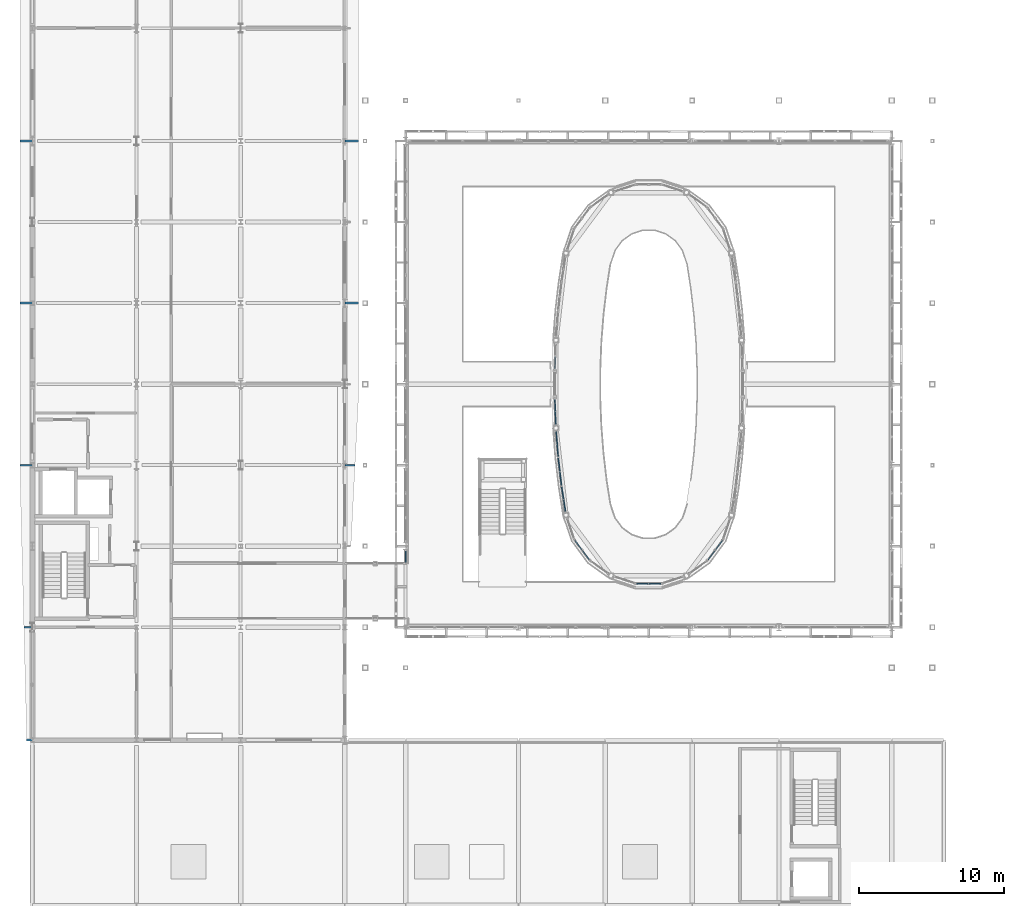
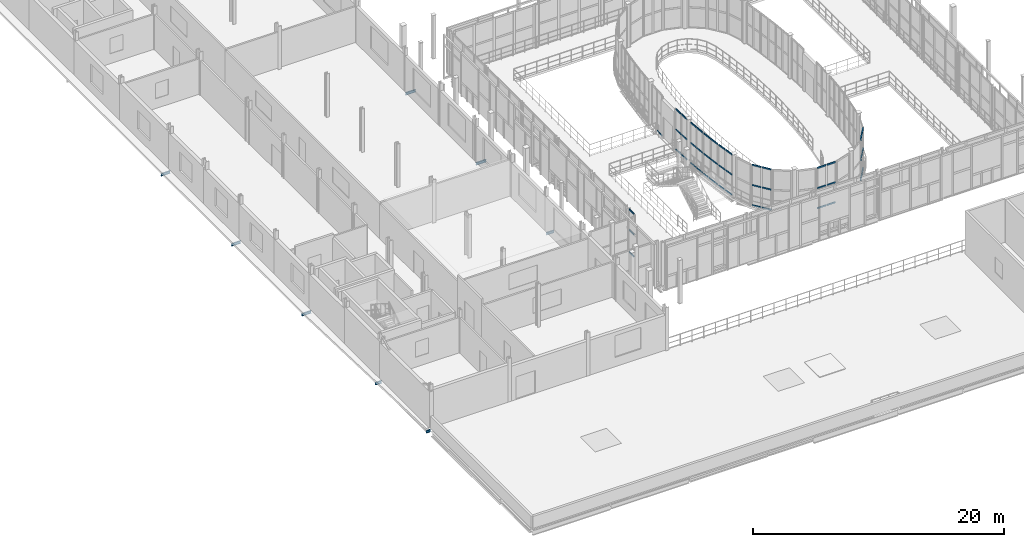
# One storey, part 89 of 138: 46 members, 8 beams, 9 elements without a shape of their own.
"""IFC4 building model written with IfcOpenShell, lengths in metres."""

from ifc_helpers import new_model, si_unit, direction, frame, origin, origin_2d, place, context, subcontext, project, spatial, hollow_rectangle, i_section, extrude, material, layer, layer_set, material_profile, profile_set, type_object, element, aggregate, save


model = new_model("IFC4")

# Units and contexts
model_context = context("Model", 3, precision=1e-05, world=origin(), true_north=direction((0.0, 1.0)))
body_context = subcontext(model_context, "Body", "Model", "MODEL_VIEW")
ifc_project = project(units=[si_unit("LENGTHUNIT", "METRE"), si_unit("AREAUNIT", "SQUARE_METRE"), si_unit("VOLUMEUNIT", "CUBIC_METRE"), si_unit("PLANEANGLEUNIT", "RADIAN"), si_unit("MASSUNIT", "GRAM", prefix="KILO")], contexts=[model_context])

# Site, building, storey
site_placement = place(None, origin())
site = spatial("IfcSite", under=ifc_project, at=site_placement, CompositionType="ELEMENT")
building_placement = place(site_placement, origin())
building = spatial("IfcBuilding", under=site, at=building_placement, Name="Vinh Khe Railworks Police Headquarters", CompositionType="ELEMENT")
storey_placement = place(building_placement, frame((0.0, 0.0, 9.0)))
storey = spatial("IfcBuildingStorey", under=building, at=storey_placement, Name="L02", CompositionType="ELEMENT", Elevation=9.0)

# Beams
ifc_material_1 = material(Name="Steel S355JR", Category="steel")
ifc_material_profile_1 = material_profile(ifc_material_1, i_section(OverallWidth=0.1201171875, OverallDepth=0.239990234375, WebThickness=0.006103515625, FlangeThickness=0.009765625, FilletRadius=0.014892578125, at=origin_2d()), Name="IPE 240")
ifc_profile_set_1 = profile_set([ifc_material_profile_1], Name="Steel S355JR")
beam_type = type_object("IfcBeamType", Name="Monsoon Hood Outrigger IPE 240", PredefinedType="BEAM", material=ifc_profile_set_1)
beam_1_placement = place(storey_placement, frame((0.21142578125, 17.39990234375, -0.360107421875), z_axis=(1.0, 0.0, 0.0), x_axis=(0.0, 1.0, 0.0)))
element("IfcBeam", 1, at=beam_1_placement, inside=storey, type_object=beam_type, Name="Monsoon Sun-Hood Outrigger L02-021", PredefinedType="BEAM", context=body_context, shape_type="SweptSolid", body=[
    extrude(i_section(OverallWidth=0.1201171875, OverallDepth=0.239990234375, WebThickness=0.006103515625, FlangeThickness=0.009765625, FilletRadius=0.014892578125, at=origin_2d()), origin(), (0.0, 0.0, 1.0), 0.388671875),
])
beam_2_placement = place(storey_placement, frame((0.01318359375, 25.199951171875, -0.360107421875), z_axis=(1.0, 0.0, 0.0), x_axis=(0.0, 1.0, 0.0)))
element("IfcBeam", 2, at=beam_2_placement, inside=storey, type_object=beam_type, Name="Monsoon Sun-Hood Outrigger L02-022", PredefinedType="BEAM", context=body_context, shape_type="SweptSolid", body=[
    extrude(i_section(OverallWidth=0.1201171875, OverallDepth=0.239990234375, WebThickness=0.006103515625, FlangeThickness=0.009765625, FilletRadius=0.014892578125, at=origin_2d()), origin(), (0.0, 0.0, 1.0), 0.5869140625),
])
for number, where, z_axis, x_axis, name in (
    (3, (-0.25, 36.39990234375, -0.360107421875), (1.0, 0.0, 0.0), (0.0, 1.0, 0.0), "Monsoon Sun-Hood Outrigger L02-023"),
    (4, (-0.25, 47.60009765625, -0.360107421875), (1.0, 0.0, 0.0), (0.0, 1.0, 0.0), "Monsoon Sun-Hood Outrigger L02-024"),
    (5, (-0.25, 58.800048828125, -0.360107421875), (1.0, 0.0, 0.0), (0.0, 1.0, 0.0), "Monsoon Sun-Hood Outrigger L02-025"),
):
    element("IfcBeam", number, at=place(storey_placement, frame(where, z_axis=z_axis, x_axis=x_axis)), inside=storey, type_object=beam_type, Name=name, PredefinedType="BEAM", context=body_context, shape_type="SweptSolid", body=[
        extrude(i_section(OverallWidth=0.1201171875, OverallDepth=0.239990234375, WebThickness=0.006103515625, FlangeThickness=0.009765625, FilletRadius=0.014892578125, at=origin_2d()), origin(), (0.0, 0.0, 1.0), 0.85009765625),
    ])
beam_3_placement = place(storey_placement, frame((22.199951171875, 36.39990234375, -0.360107421875), z_axis=(1.0, 0.0, 0.0), x_axis=(0.0, 1.0, 0.0)))
element("IfcBeam", 6, at=beam_3_placement, inside=storey, type_object=beam_type, Name="Monsoon Sun-Hood Outrigger L02-033", PredefinedType="BEAM", context=body_context, shape_type="SweptSolid", body=[
    extrude(i_section(OverallWidth=0.1201171875, OverallDepth=0.239990234375, WebThickness=0.006103515625, FlangeThickness=0.009765625, FilletRadius=0.014892578125, at=origin_2d()), origin(), (0.0, 0.0, 1.0), 0.70703125),
])
for number, where, z_axis, x_axis, name in (
    (7, (22.199951171875, 47.60009765625, -0.360107421875), (1.0, 0.0, 0.0), (0.0, 1.0, 0.0), "Monsoon Sun-Hood Outrigger L02-034"),
    (8, (22.199951171875, 58.800048828125, -0.360107421875), (1.0, 0.0, 0.0), (0.0, 1.0, 0.0), "Monsoon Sun-Hood Outrigger L02-035"),
):
    element("IfcBeam", number, at=place(storey_placement, frame(where, z_axis=z_axis, x_axis=x_axis)), inside=storey, type_object=beam_type, Name=name, PredefinedType="BEAM", context=body_context, shape_type="SweptSolid", body=[
        extrude(i_section(OverallWidth=0.1201171875, OverallDepth=0.239990234375, WebThickness=0.006103515625, FlangeThickness=0.009765625, FilletRadius=0.014892578125, at=origin_2d()), origin(), (0.0, 0.0, 1.0), 0.949951171875),
    ])

# Curtain wall, member
ifc_material_2 = material(Name="Anodised aluminium and acoustic laminated glass", Category="aluminium")
ifc_layer_1 = layer(ifc_material_2, 0.159912109375)
ifc_layer_set_1 = layer_set([ifc_layer_1], Name="Anodised aluminium and acoustic laminated glass")
curtain_wall_type_1 = type_object("IfcCurtainWallType", Name="CW-DRUM-CHORD", PredefinedType="USERDEFINED", material=ifc_layer_set_1)
curtain_wall_1_placement = place(storey_placement, origin())
curtain_wall_1 = element("IfcCurtainWall", 9, at=curtain_wall_1_placement, inside=storey, type_object=curtain_wall_type_1, Name="Elliptical Command Drum Glazing L02 Chord 22", ObjectType="DRUM FACADE GLAZING", PredefinedType="USERDEFINED")
ifc_material_3 = material(Name="Anodised aluminium 6063-T6", Category="aluminium")
ifc_material_profile_2 = material_profile(ifc_material_3, hollow_rectangle(XDim=0.06494140625, YDim=0.139892578125, WallThickness=0.00390625, at=origin_2d()), Name="CW-T 65x140x4")
ifc_profile_set_2 = profile_set([ifc_material_profile_2], Name="Anodised aluminium 6063-T6")
member_type_1 = type_object("IfcMemberType", Name="TRAN-CWT-02", PredefinedType="USERDEFINED", material=ifc_profile_set_2)
member_1_placement = place(storey_placement, frame((36.74365234375, 43.890380859375, 0.032470703125), z_axis=(-0.038651755227, -0.999252741711, 0.0), x_axis=(0.999252741711, -0.038651755227, 0.0)))
member_1 = element("IfcMember", 10, at=member_1_placement, type_object=member_type_1, Name="CW-02 transom 2.1", ObjectType="TRANSOM", PredefinedType="USERDEFINED", context=body_context, shape_type="SweptSolid", body=[
    extrude(hollow_rectangle(XDim=0.06494140625, YDim=0.139892578125, WallThickness=0.00390625, at=origin_2d()), origin(), (0.0, 0.0, 1.0), 0.814697265625),
])
aggregate(curtain_wall_1, [member_1])

# Curtain wall, members
curtain_wall_2_placement = place(storey_placement, origin())
curtain_wall_2 = element("IfcCurtainWall", 11, at=curtain_wall_2_placement, inside=storey, type_object=curtain_wall_type_1, Name="Elliptical Command Drum Glazing L02 Chord 24", ObjectType="DRUM FACADE GLAZING", PredefinedType="USERDEFINED")
member_2_placement = place(storey_placement, frame((36.712158203125, 40.923828125, 0.032470703125), z_axis=(0.038651755227, -0.999252741711, 0.0), x_axis=(0.999252741711, 0.038651755227, 0.0)))
member_2 = element("IfcMember", 12, at=member_2_placement, type_object=member_type_1, Name="CW-02 transom 1.1", ObjectType="TRANSOM", PredefinedType="USERDEFINED", context=body_context, shape_type="SweptSolid", body=[
    extrude(hollow_rectangle(XDim=0.06494140625, YDim=0.139892578125, WallThickness=0.00390625, at=origin_2d()), origin(), (0.0, 0.0, 1.0), 0.814697265625),
])
member_3_placement = place(storey_placement, frame((36.712158203125, 40.923828125, 1.985107421875), z_axis=(0.038651755227, -0.999252741711, 0.0), x_axis=(0.999252741711, 0.038651755227, 0.0)))
member_3 = element("IfcMember", 13, at=member_3_placement, type_object=member_type_1, Name="CW-02 transom 1.2", ObjectType="TRANSOM", PredefinedType="USERDEFINED", context=body_context, shape_type="SweptSolid", body=[
    extrude(hollow_rectangle(XDim=0.06494140625, YDim=0.139892578125, WallThickness=0.00390625, at=origin_2d()), origin(), (0.0, 0.0, 1.0), 0.814697265625),
])
member_4_placement = place(storey_placement, frame((36.712158203125, 40.923828125, 3.9375), z_axis=(0.038651755227, -0.999252741711, 0.0), x_axis=(0.999252741711, 0.038651755227, 0.0)))
member_4 = element("IfcMember", 14, at=member_4_placement, type_object=member_type_1, Name="CW-02 transom 1.3", ObjectType="TRANSOM", PredefinedType="USERDEFINED", context=body_context, shape_type="SweptSolid", body=[
    extrude(hollow_rectangle(XDim=0.06494140625, YDim=0.139892578125, WallThickness=0.00390625, at=origin_2d()), origin(), (0.0, 0.0, 1.0), 0.814697265625),
])
member_5_placement = place(storey_placement, frame((36.74609375, 40.044677734375, 0.032470703125), z_axis=(0.038651755227, -0.999252741711, 0.0), x_axis=(0.999252741711, 0.038651755227, 0.0)))
member_5 = element("IfcMember", 15, at=member_5_placement, type_object=member_type_1, Name="CW-02 transom 2.1", ObjectType="TRANSOM", PredefinedType="USERDEFINED", context=body_context, shape_type="SweptSolid", body=[
    extrude(hollow_rectangle(XDim=0.06494140625, YDim=0.139892578125, WallThickness=0.00390625, at=origin_2d()), origin(), (0.0, 0.0, 1.0), 0.814697265625),
])
member_6_placement = place(storey_placement, frame((36.74609375, 40.044677734375, 1.985107421875), z_axis=(0.038651755227, -0.999252741711, 0.0), x_axis=(0.999252741711, 0.038651755227, 0.0)))
member_6 = element("IfcMember", 16, at=member_6_placement, type_object=member_type_1, Name="CW-02 transom 2.2", ObjectType="TRANSOM", PredefinedType="USERDEFINED", context=body_context, shape_type="SweptSolid", body=[
    extrude(hollow_rectangle(XDim=0.06494140625, YDim=0.139892578125, WallThickness=0.00390625, at=origin_2d()), origin(), (0.0, 0.0, 1.0), 0.814697265625),
])
member_7_placement = place(storey_placement, frame((36.74609375, 40.044677734375, 3.9375), z_axis=(0.038651755227, -0.999252741711, 0.0), x_axis=(0.999252741711, 0.038651755227, 0.0)))
member_7 = element("IfcMember", 17, at=member_7_placement, type_object=member_type_1, Name="CW-02 transom 2.3", ObjectType="TRANSOM", PredefinedType="USERDEFINED", context=body_context, shape_type="SweptSolid", body=[
    extrude(hollow_rectangle(XDim=0.06494140625, YDim=0.139892578125, WallThickness=0.00390625, at=origin_2d()), origin(), (0.0, 0.0, 1.0), 0.814697265625),
])
aggregate(curtain_wall_2, [member_2, member_3, member_4, member_5, member_6, member_7])

curtain_wall_3_placement = place(storey_placement, origin())
curtain_wall_3 = element("IfcCurtainWall", 18, at=curtain_wall_3_placement, inside=storey, type_object=curtain_wall_type_1, Name="Elliptical Command Drum Glazing L02 Chord 25", ObjectType="DRUM FACADE GLAZING", PredefinedType="USERDEFINED")
member_8_placement = place(storey_placement, frame((36.807861328125, 38.705810546875, 0.032470703125), z_axis=(0.077017326993, -0.997029754492, 0.0), x_axis=(0.997029754492, 0.077017326993, 0.0)))
member_8 = element("IfcMember", 19, at=member_8_placement, type_object=member_type_1, Name="CW-02 transom 1.1", ObjectType="TRANSOM", PredefinedType="USERDEFINED", context=body_context, shape_type="SweptSolid", body=[
    extrude(hollow_rectangle(XDim=0.06494140625, YDim=0.139892578125, WallThickness=0.00390625, at=origin_2d()), origin(), (0.0, 0.0, 1.0), 0.814697265625),
])
member_9_placement = place(storey_placement, frame((36.807861328125, 38.705810546875, 1.985107421875), z_axis=(0.077017326993, -0.997029754492, 0.0), x_axis=(0.997029754492, 0.077017326993, 0.0)))
member_9 = element("IfcMember", 20, at=member_9_placement, type_object=member_type_1, Name="CW-02 transom 1.2", ObjectType="TRANSOM", PredefinedType="USERDEFINED", context=body_context, shape_type="SweptSolid", body=[
    extrude(hollow_rectangle(XDim=0.06494140625, YDim=0.139892578125, WallThickness=0.00390625, at=origin_2d()), origin(), (0.0, 0.0, 1.0), 0.814697265625),
])
member_10_placement = place(storey_placement, frame((36.807861328125, 38.705810546875, 3.9375), z_axis=(0.077017326993, -0.997029754492, 0.0), x_axis=(0.997029754492, 0.077017326993, 0.0)))
member_10 = element("IfcMember", 21, at=member_10_placement, type_object=member_type_1, Name="CW-02 transom 1.3", ObjectType="TRANSOM", PredefinedType="USERDEFINED", context=body_context, shape_type="SweptSolid", body=[
    extrude(hollow_rectangle(XDim=0.06494140625, YDim=0.139892578125, WallThickness=0.00390625, at=origin_2d()), origin(), (0.0, 0.0, 1.0), 0.814697265625),
])
member_11_placement = place(storey_placement, frame((36.87548828125, 37.82861328125, 0.032470703125), z_axis=(0.077017326993, -0.997029754492, 0.0), x_axis=(0.997029754492, 0.077017326993, 0.0)))
member_11 = element("IfcMember", 22, at=member_11_placement, type_object=member_type_1, Name="CW-02 transom 2.1", ObjectType="TRANSOM", PredefinedType="USERDEFINED", context=body_context, shape_type="SweptSolid", body=[
    extrude(hollow_rectangle(XDim=0.06494140625, YDim=0.139892578125, WallThickness=0.00390625, at=origin_2d()), origin(), (0.0, 0.0, 1.0), 0.814697265625),
])
member_12_placement = place(storey_placement, frame((36.87548828125, 37.82861328125, 1.985107421875), z_axis=(0.077017326993, -0.997029754492, 0.0), x_axis=(0.997029754492, 0.077017326993, 0.0)))
member_12 = element("IfcMember", 23, at=member_12_placement, type_object=member_type_1, Name="CW-02 transom 2.2", ObjectType="TRANSOM", PredefinedType="USERDEFINED", context=body_context, shape_type="SweptSolid", body=[
    extrude(hollow_rectangle(XDim=0.06494140625, YDim=0.139892578125, WallThickness=0.00390625, at=origin_2d()), origin(), (0.0, 0.0, 1.0), 0.814697265625),
])
member_13_placement = place(storey_placement, frame((36.87548828125, 37.82861328125, 3.9375), z_axis=(0.077017326993, -0.997029754492, 0.0), x_axis=(0.997029754492, 0.077017326993, 0.0)))
member_13 = element("IfcMember", 24, at=member_13_placement, type_object=member_type_1, Name="CW-02 transom 2.3", ObjectType="TRANSOM", PredefinedType="USERDEFINED", context=body_context, shape_type="SweptSolid", body=[
    extrude(hollow_rectangle(XDim=0.06494140625, YDim=0.139892578125, WallThickness=0.00390625, at=origin_2d()), origin(), (0.0, 0.0, 1.0), 0.814697265625),
])
aggregate(curtain_wall_3, [member_8, member_9, member_10, member_11, member_12, member_13])

curtain_wall_4_placement = place(storey_placement, origin())
curtain_wall_4 = element("IfcCurtainWall", 25, at=curtain_wall_4_placement, inside=storey, type_object=curtain_wall_type_1, Name="Elliptical Command Drum Glazing L02 Chord 26", ObjectType="DRUM FACADE GLAZING", PredefinedType="USERDEFINED")
member_14_placement = place(storey_placement, frame((36.95068359375, 36.886962890625, 0.032470703125), z_axis=(0.115415034378, -0.993317356055, 0.0), x_axis=(0.993317356055, 0.115415034378, 0.0)))
member_14 = element("IfcMember", 26, at=member_14_placement, type_object=member_type_1, Name="CW-02 transom 1.1", ObjectType="TRANSOM", PredefinedType="USERDEFINED", context=body_context, shape_type="SweptSolid", body=[
    extrude(hollow_rectangle(XDim=0.06494140625, YDim=0.139892578125, WallThickness=0.00390625, at=origin_2d()), origin(), (0.0, 0.0, 1.0), 0.913818359375),
])
member_15_placement = place(storey_placement, frame((36.95068359375, 36.886962890625, 1.985107421875), z_axis=(0.115415034378, -0.993317356055, 0.0), x_axis=(0.993317356055, 0.115415034378, 0.0)))
member_15 = element("IfcMember", 27, at=member_15_placement, type_object=member_type_1, Name="CW-02 transom 1.2", ObjectType="TRANSOM", PredefinedType="USERDEFINED", context=body_context, shape_type="SweptSolid", body=[
    extrude(hollow_rectangle(XDim=0.06494140625, YDim=0.139892578125, WallThickness=0.00390625, at=origin_2d()), origin(), (0.0, 0.0, 1.0), 0.913818359375),
])
member_16_placement = place(storey_placement, frame((36.95068359375, 36.886962890625, 3.9375), z_axis=(0.115415034378, -0.993317356055, 0.0), x_axis=(0.993317356055, 0.115415034378, 0.0)))
member_16 = element("IfcMember", 28, at=member_16_placement, type_object=member_type_1, Name="CW-02 transom 1.3", ObjectType="TRANSOM", PredefinedType="USERDEFINED", context=body_context, shape_type="SweptSolid", body=[
    extrude(hollow_rectangle(XDim=0.06494140625, YDim=0.139892578125, WallThickness=0.00390625, at=origin_2d()), origin(), (0.0, 0.0, 1.0), 0.913818359375),
])
member_17_placement = place(storey_placement, frame((37.063720703125, 35.914794921875, 0.032470703125), z_axis=(0.115151416561, -0.993347950752, 0.0), x_axis=(0.993347950752, 0.115151416561, 0.0)))
member_17 = element("IfcMember", 29, at=member_17_placement, type_object=member_type_1, Name="CW-02 transom 2.1", ObjectType="TRANSOM", PredefinedType="USERDEFINED", context=body_context, shape_type="SweptSolid", body=[
    extrude(hollow_rectangle(XDim=0.06494140625, YDim=0.139892578125, WallThickness=0.00390625, at=origin_2d()), origin(), (0.0, 0.0, 1.0), 0.913818359375),
])
member_18_placement = place(storey_placement, frame((37.063720703125, 35.914794921875, 1.985107421875), z_axis=(0.115151416561, -0.993347950752, 0.0), x_axis=(0.993347950752, 0.115151416561, 0.0)))
member_18 = element("IfcMember", 30, at=member_18_placement, type_object=member_type_1, Name="CW-02 transom 2.2", ObjectType="TRANSOM", PredefinedType="USERDEFINED", context=body_context, shape_type="SweptSolid", body=[
    extrude(hollow_rectangle(XDim=0.06494140625, YDim=0.139892578125, WallThickness=0.00390625, at=origin_2d()), origin(), (0.0, 0.0, 1.0), 0.913818359375),
])
member_19_placement = place(storey_placement, frame((37.063720703125, 35.914794921875, 3.9375), z_axis=(0.115151416561, -0.993347950752, 0.0), x_axis=(0.993347950752, 0.115151416561, 0.0)))
member_19 = element("IfcMember", 31, at=member_19_placement, type_object=member_type_1, Name="CW-02 transom 2.3", ObjectType="TRANSOM", PredefinedType="USERDEFINED", context=body_context, shape_type="SweptSolid", body=[
    extrude(hollow_rectangle(XDim=0.06494140625, YDim=0.139892578125, WallThickness=0.00390625, at=origin_2d()), origin(), (0.0, 0.0, 1.0), 0.913818359375),
])
aggregate(curtain_wall_4, [member_14, member_15, member_16, member_17, member_18, member_19])

curtain_wall_5_placement = place(storey_placement, origin())
curtain_wall_5 = element("IfcCurtainWall", 32, at=curtain_wall_5_placement, inside=storey, type_object=curtain_wall_type_1, Name="Elliptical Command Drum Glazing L02 Chord 27", ObjectType="DRUM FACADE GLAZING", PredefinedType="USERDEFINED")
member_20_placement = place(storey_placement, frame((37.1865234375, 34.87841796875, 0.032470703125), z_axis=(0.153407952205, -0.988162942131, 0.0), x_axis=(0.988162942131, 0.153407952205, 0.0)))
member_20 = element("IfcMember", 33, at=member_20_placement, type_object=member_type_1, Name="CW-02 transom 1.1", ObjectType="TRANSOM", PredefinedType="USERDEFINED", context=body_context, shape_type="SweptSolid", body=[
    extrude(hollow_rectangle(XDim=0.06494140625, YDim=0.139892578125, WallThickness=0.00390625, at=origin_2d()), origin(), (0.0, 0.0, 1.0), 0.81494140625),
])
member_21_placement = place(storey_placement, frame((37.1865234375, 34.87841796875, 1.985107421875), z_axis=(0.153407952205, -0.988162942131, 0.0), x_axis=(0.988162942131, 0.153407952205, 0.0)))
member_21 = element("IfcMember", 34, at=member_21_placement, type_object=member_type_1, Name="CW-02 transom 1.2", ObjectType="TRANSOM", PredefinedType="USERDEFINED", context=body_context, shape_type="SweptSolid", body=[
    extrude(hollow_rectangle(XDim=0.06494140625, YDim=0.139892578125, WallThickness=0.00390625, at=origin_2d()), origin(), (0.0, 0.0, 1.0), 0.81494140625),
])
member_22_placement = place(storey_placement, frame((37.1865234375, 34.87841796875, 3.9375), z_axis=(0.153407952205, -0.988162942131, 0.0), x_axis=(0.988162942131, 0.153407952205, 0.0)))
member_22 = element("IfcMember", 35, at=member_22_placement, type_object=member_type_1, Name="CW-02 transom 1.3", ObjectType="TRANSOM", PredefinedType="USERDEFINED", context=body_context, shape_type="SweptSolid", body=[
    extrude(hollow_rectangle(XDim=0.06494140625, YDim=0.139892578125, WallThickness=0.00390625, at=origin_2d()), origin(), (0.0, 0.0, 1.0), 0.81494140625),
])
member_23_placement = place(storey_placement, frame((37.321533203125, 34.009033203125, 0.032470703125), z_axis=(0.153407952205, -0.988162942131, 0.0), x_axis=(0.988162942131, 0.153407952205, 0.0)))
member_23 = element("IfcMember", 36, at=member_23_placement, type_object=member_type_1, Name="CW-02 transom 2.1", ObjectType="TRANSOM", PredefinedType="USERDEFINED", context=body_context, shape_type="SweptSolid", body=[
    extrude(hollow_rectangle(XDim=0.06494140625, YDim=0.139892578125, WallThickness=0.00390625, at=origin_2d()), origin(), (0.0, 0.0, 1.0), 0.81494140625),
])
member_24_placement = place(storey_placement, frame((37.321533203125, 34.009033203125, 1.985107421875), z_axis=(0.153407952205, -0.988162942131, 0.0), x_axis=(0.988162942131, 0.153407952205, 0.0)))
member_24 = element("IfcMember", 37, at=member_24_placement, type_object=member_type_1, Name="CW-02 transom 2.2", ObjectType="TRANSOM", PredefinedType="USERDEFINED", context=body_context, shape_type="SweptSolid", body=[
    extrude(hollow_rectangle(XDim=0.06494140625, YDim=0.139892578125, WallThickness=0.00390625, at=origin_2d()), origin(), (0.0, 0.0, 1.0), 0.81494140625),
])
member_25_placement = place(storey_placement, frame((37.321533203125, 34.009033203125, 3.9375), z_axis=(0.153407952205, -0.988162942131, 0.0), x_axis=(0.988162942131, 0.153407952205, 0.0)))
member_25 = element("IfcMember", 38, at=member_25_placement, type_object=member_type_1, Name="CW-02 transom 2.3", ObjectType="TRANSOM", PredefinedType="USERDEFINED", context=body_context, shape_type="SweptSolid", body=[
    extrude(hollow_rectangle(XDim=0.06494140625, YDim=0.139892578125, WallThickness=0.00390625, at=origin_2d()), origin(), (0.0, 0.0, 1.0), 0.81494140625),
])
aggregate(curtain_wall_5, [member_20, member_21, member_22, member_23, member_24, member_25])

curtain_wall_6_placement = place(storey_placement, origin())
curtain_wall_6 = element("IfcCurtainWall", 39, at=curtain_wall_6_placement, inside=storey, type_object=curtain_wall_type_1, Name="Elliptical Command Drum Glazing L02 Chord 29", ObjectType="DRUM FACADE GLAZING", PredefinedType="USERDEFINED")
member_26_placement = place(storey_placement, frame((38.104736328125, 31.194091796875, 0.032470703125), z_axis=(0.596475814623, -0.802631050091, 0.0), x_axis=(0.802631050091, 0.596475814623, 0.0)))
member_26 = element("IfcMember", 40, at=member_26_placement, type_object=member_type_1, Name="CW-02 transom 1.1", ObjectType="TRANSOM", PredefinedType="USERDEFINED", context=body_context, shape_type="SweptSolid", body=[
    extrude(hollow_rectangle(XDim=0.06494140625, YDim=0.139892578125, WallThickness=0.00390625, at=origin_2d()), origin(), (0.0, 0.0, 1.0), 0.79931640625),
])
member_27_placement = place(storey_placement, frame((38.104736328125, 31.194091796875, 1.985107421875), z_axis=(0.596475814623, -0.802631050091, 0.0), x_axis=(0.802631050091, 0.596475814623, 0.0)))
member_27 = element("IfcMember", 41, at=member_27_placement, type_object=member_type_1, Name="CW-02 transom 1.2", ObjectType="TRANSOM", PredefinedType="USERDEFINED", context=body_context, shape_type="SweptSolid", body=[
    extrude(hollow_rectangle(XDim=0.06494140625, YDim=0.139892578125, WallThickness=0.00390625, at=origin_2d()), origin(), (0.0, 0.0, 1.0), 0.79931640625),
])
member_28_placement = place(storey_placement, frame((38.104736328125, 31.194091796875, 3.9375), z_axis=(0.596475814623, -0.802631050091, 0.0), x_axis=(0.802631050091, 0.596475814623, 0.0)))
member_28 = element("IfcMember", 42, at=member_28_placement, type_object=member_type_1, Name="CW-02 transom 1.3", ObjectType="TRANSOM", PredefinedType="USERDEFINED", context=body_context, shape_type="SweptSolid", body=[
    extrude(hollow_rectangle(XDim=0.06494140625, YDim=0.139892578125, WallThickness=0.00390625, at=origin_2d()), origin(), (0.0, 0.0, 1.0), 0.79931640625),
])
member_29_placement = place(storey_placement, frame((38.620361328125, 30.500244140625, 0.032470703125), z_axis=(0.596475814623, -0.802631050091, 0.0), x_axis=(0.802631050091, 0.596475814623, 0.0)))
member_29 = element("IfcMember", 43, at=member_29_placement, type_object=member_type_1, Name="CW-02 transom 2.1", ObjectType="TRANSOM", PredefinedType="USERDEFINED", context=body_context, shape_type="SweptSolid", body=[
    extrude(hollow_rectangle(XDim=0.06494140625, YDim=0.139892578125, WallThickness=0.00390625, at=origin_2d()), origin(), (0.0, 0.0, 1.0), 0.79931640625),
])
member_30_placement = place(storey_placement, frame((38.620361328125, 30.500244140625, 1.985107421875), z_axis=(0.596475814623, -0.802631050091, 0.0), x_axis=(0.802631050091, 0.596475814623, 0.0)))
member_30 = element("IfcMember", 44, at=member_30_placement, type_object=member_type_1, Name="CW-02 transom 2.2", ObjectType="TRANSOM", PredefinedType="USERDEFINED", context=body_context, shape_type="SweptSolid", body=[
    extrude(hollow_rectangle(XDim=0.06494140625, YDim=0.139892578125, WallThickness=0.00390625, at=origin_2d()), origin(), (0.0, 0.0, 1.0), 0.79931640625),
])
member_31_placement = place(storey_placement, frame((38.620361328125, 30.500244140625, 3.9375), z_axis=(0.596475814623, -0.802631050091, 0.0), x_axis=(0.802631050091, 0.596475814623, 0.0)))
member_31 = element("IfcMember", 45, at=member_31_placement, type_object=member_type_1, Name="CW-02 transom 2.3", ObjectType="TRANSOM", PredefinedType="USERDEFINED", context=body_context, shape_type="SweptSolid", body=[
    extrude(hollow_rectangle(XDim=0.06494140625, YDim=0.139892578125, WallThickness=0.00390625, at=origin_2d()), origin(), (0.0, 0.0, 1.0), 0.79931640625),
])
aggregate(curtain_wall_6, [member_26, member_27, member_28, member_29, member_30, member_31])

curtain_wall_7_placement = place(storey_placement, origin())
curtain_wall_7 = element("IfcCurtainWall", 46, at=curtain_wall_7_placement, inside=storey, type_object=curtain_wall_type_1, Name="Elliptical Command Drum Glazing L02 Chord 32", ObjectType="DRUM FACADE GLAZING", PredefinedType="USERDEFINED")
member_32_placement = place(storey_placement, frame((42.367919921875, 28.21435546875, 0.032470703125), z_axis=(1.0, 0.0, 0.0), x_axis=(0.0, 1.0, 0.0)))
member_32 = element("IfcMember", 47, at=member_32_placement, type_object=member_type_1, Name="CW-02 transom 1.1", ObjectType="TRANSOM", PredefinedType="USERDEFINED", context=body_context, shape_type="SweptSolid", body=[
    extrude(hollow_rectangle(XDim=0.06494140625, YDim=0.139892578125, WallThickness=0.00390625, at=origin_2d()), origin(), (0.0, 0.0, 1.0), 0.799560546875),
])
member_33_placement = place(storey_placement, frame((42.367919921875, 28.21435546875, 1.985107421875), z_axis=(1.0, 0.0, 0.0), x_axis=(0.0, 1.0, 0.0)))
member_33 = element("IfcMember", 48, at=member_33_placement, type_object=member_type_1, Name="CW-02 transom 1.2", ObjectType="TRANSOM", PredefinedType="USERDEFINED", context=body_context, shape_type="SweptSolid", body=[
    extrude(hollow_rectangle(XDim=0.06494140625, YDim=0.139892578125, WallThickness=0.00390625, at=origin_2d()), origin(), (0.0, 0.0, 1.0), 0.799560546875),
])
member_34_placement = place(storey_placement, frame((42.367919921875, 28.21435546875, 3.9375), z_axis=(1.0, 0.0, 0.0), x_axis=(0.0, 1.0, 0.0)))
member_34 = element("IfcMember", 49, at=member_34_placement, type_object=member_type_1, Name="CW-02 transom 1.3", ObjectType="TRANSOM", PredefinedType="USERDEFINED", context=body_context, shape_type="SweptSolid", body=[
    extrude(hollow_rectangle(XDim=0.06494140625, YDim=0.139892578125, WallThickness=0.00390625, at=origin_2d()), origin(), (0.0, 0.0, 1.0), 0.799560546875),
])
member_35_placement = place(storey_placement, frame((43.232421875, 28.21435546875, 0.032470703125), z_axis=(1.0, 0.0, 0.0), x_axis=(0.0, 1.0, 0.0)))
member_35 = element("IfcMember", 50, at=member_35_placement, type_object=member_type_1, Name="CW-02 transom 2.1", ObjectType="TRANSOM", PredefinedType="USERDEFINED", context=body_context, shape_type="SweptSolid", body=[
    extrude(hollow_rectangle(XDim=0.06494140625, YDim=0.139892578125, WallThickness=0.00390625, at=origin_2d()), origin(), (0.0, 0.0, 1.0), 0.799560546875),
])
member_36_placement = place(storey_placement, frame((43.232421875, 28.21435546875, 1.985107421875), z_axis=(1.0, 0.0, 0.0), x_axis=(0.0, 1.0, 0.0)))
member_36 = element("IfcMember", 51, at=member_36_placement, type_object=member_type_1, Name="CW-02 transom 2.2", ObjectType="TRANSOM", PredefinedType="USERDEFINED", context=body_context, shape_type="SweptSolid", body=[
    extrude(hollow_rectangle(XDim=0.06494140625, YDim=0.139892578125, WallThickness=0.00390625, at=origin_2d()), origin(), (0.0, 0.0, 1.0), 0.799560546875),
])
member_37_placement = place(storey_placement, frame((43.232421875, 28.21435546875, 3.9375), z_axis=(1.0, 0.0, 0.0), x_axis=(0.0, 1.0, 0.0)))
member_37 = element("IfcMember", 52, at=member_37_placement, type_object=member_type_1, Name="CW-02 transom 2.3", ObjectType="TRANSOM", PredefinedType="USERDEFINED", context=body_context, shape_type="SweptSolid", body=[
    extrude(hollow_rectangle(XDim=0.06494140625, YDim=0.139892578125, WallThickness=0.00390625, at=origin_2d()), origin(), (0.0, 0.0, 1.0), 0.799560546875),
])
aggregate(curtain_wall_7, [member_32, member_33, member_34, member_35, member_36, member_37])

curtain_wall_8_placement = place(storey_placement, origin())
curtain_wall_8 = element("IfcCurtainWall", 53, at=curtain_wall_8_placement, inside=storey, type_object=curtain_wall_type_1, Name="Elliptical Command Drum Glazing L02 Chord 35", ObjectType="DRUM FACADE GLAZING", PredefinedType="USERDEFINED")
member_38_placement = place(storey_placement, frame((47.302734375, 29.858642578125, 0.032470703125), z_axis=(0.596475814623, 0.802631050091, 0.0), x_axis=(-0.802631050091, 0.596475814623, 0.0)))
member_38 = element("IfcMember", 54, at=member_38_placement, type_object=member_type_1, Name="CW-02 transom 1.1", ObjectType="TRANSOM", PredefinedType="USERDEFINED", context=body_context, shape_type="SweptSolid", body=[
    extrude(hollow_rectangle(XDim=0.06494140625, YDim=0.139892578125, WallThickness=0.00390625, at=origin_2d()), origin(), (0.0, 0.0, 1.0), 0.79931640625),
])
member_39_placement = place(storey_placement, frame((47.302734375, 29.858642578125, 1.985107421875), z_axis=(0.596475814623, 0.802631050091, 0.0), x_axis=(-0.802631050091, 0.596475814623, 0.0)))
member_39 = element("IfcMember", 55, at=member_39_placement, type_object=member_type_1, Name="CW-02 transom 1.2", ObjectType="TRANSOM", PredefinedType="USERDEFINED", context=body_context, shape_type="SweptSolid", body=[
    extrude(hollow_rectangle(XDim=0.06494140625, YDim=0.139892578125, WallThickness=0.00390625, at=origin_2d()), origin(), (0.0, 0.0, 1.0), 0.79931640625),
])
member_40_placement = place(storey_placement, frame((47.302734375, 29.858642578125, 3.9375), z_axis=(0.596475814623, 0.802631050091, 0.0), x_axis=(-0.802631050091, 0.596475814623, 0.0)))
member_40 = element("IfcMember", 56, at=member_40_placement, type_object=member_type_1, Name="CW-02 transom 1.3", ObjectType="TRANSOM", PredefinedType="USERDEFINED", context=body_context, shape_type="SweptSolid", body=[
    extrude(hollow_rectangle(XDim=0.06494140625, YDim=0.139892578125, WallThickness=0.00390625, at=origin_2d()), origin(), (0.0, 0.0, 1.0), 0.79931640625),
])
member_41_placement = place(storey_placement, frame((47.818359375, 30.552490234375, 0.032470703125), z_axis=(0.596672514384, 0.802484835108, 0.0), x_axis=(-0.802484835108, 0.596672514384, 0.0)))
member_41 = element("IfcMember", 57, at=member_41_placement, type_object=member_type_1, Name="CW-02 transom 2.1", ObjectType="TRANSOM", PredefinedType="USERDEFINED", context=body_context, shape_type="SweptSolid", body=[
    extrude(hollow_rectangle(XDim=0.06494140625, YDim=0.139892578125, WallThickness=0.00390625, at=origin_2d()), origin(), (0.0, 0.0, 1.0), 0.799560546875),
])
member_42_placement = place(storey_placement, frame((47.818359375, 30.552490234375, 1.985107421875), z_axis=(0.596672514384, 0.802484835108, 0.0), x_axis=(-0.802484835108, 0.596672514384, 0.0)))
member_42 = element("IfcMember", 58, at=member_42_placement, type_object=member_type_1, Name="CW-02 transom 2.2", ObjectType="TRANSOM", PredefinedType="USERDEFINED", context=body_context, shape_type="SweptSolid", body=[
    extrude(hollow_rectangle(XDim=0.06494140625, YDim=0.139892578125, WallThickness=0.00390625, at=origin_2d()), origin(), (0.0, 0.0, 1.0), 0.799560546875),
])
member_43_placement = place(storey_placement, frame((47.818359375, 30.552490234375, 3.9375), z_axis=(0.596672514384, 0.802484835108, 0.0), x_axis=(-0.802484835108, 0.596672514384, 0.0)))
member_43 = element("IfcMember", 59, at=member_43_placement, type_object=member_type_1, Name="CW-02 transom 2.3", ObjectType="TRANSOM", PredefinedType="USERDEFINED", context=body_context, shape_type="SweptSolid", body=[
    extrude(hollow_rectangle(XDim=0.06494140625, YDim=0.139892578125, WallThickness=0.00390625, at=origin_2d()), origin(), (0.0, 0.0, 1.0), 0.799560546875),
])
aggregate(curtain_wall_8, [member_38, member_39, member_40, member_41, member_42, member_43])

ifc_material_4 = material(Name="Anodised aluminium and low-iron glass", Category="aluminium")
ifc_layer_2 = layer(ifc_material_4, 0.179931640625)
ifc_layer_set_2 = layer_set([ifc_layer_2], Name="Anodised aluminium and low-iron glass")
curtain_wall_type_2 = type_object("IfcCurtainWallType", Name="CW-CUBE-UNIT", PredefinedType="USERDEFINED", material=ifc_layer_set_2)
curtain_wall_9_placement = place(storey_placement, origin())
curtain_wall_9 = element("IfcCurtainWall", 60, at=curtain_wall_9_placement, inside=storey, type_object=curtain_wall_type_2, Name="Entrance Hall Curtain Wall L02 W-1N", ObjectType="UNITISED GLAZING", PredefinedType="USERDEFINED")
ifc_material_profile_3 = material_profile(ifc_material_3, hollow_rectangle(XDim=0.070068359375, YDim=0.14990234375, WallThickness=0.0048828125, at=origin_2d()), Name="CW-T 70x150x5")
ifc_profile_set_3 = profile_set([ifc_material_profile_3], Name="Anodised aluminium 6063-T6")
member_type_2 = type_object("IfcMemberType", Name="TRAN-CWT-03", PredefinedType="USERDEFINED", material=ifc_profile_set_3)
member_44_placement = place(storey_placement, frame((26.39990234375, 29.68994140625, 0.034912109375), z_axis=(0.0, 1.0, 0.0), x_axis=(-1.0, 0.0, 0.0)))
member_44 = element("IfcMember", 61, at=member_44_placement, type_object=member_type_2, Name="CW-01 transom 1.1", ObjectType="TRANSOM", PredefinedType="USERDEFINED", context=body_context, shape_type="SweptSolid", body=[
    extrude(hollow_rectangle(XDim=0.070068359375, YDim=0.14990234375, WallThickness=0.0048828125, at=origin_2d()), origin(), (0.0, 0.0, 1.0), 0.775146484375),
])
member_45_placement = place(storey_placement, frame((26.39990234375, 29.68994140625, 2.18408203125), z_axis=(0.0, 1.0, 0.0), x_axis=(-1.0, 0.0, 0.0)))
member_45 = element("IfcMember", 62, at=member_45_placement, type_object=member_type_2, Name="CW-01 transom 1.2", ObjectType="TRANSOM", PredefinedType="USERDEFINED", context=body_context, shape_type="SweptSolid", body=[
    extrude(hollow_rectangle(XDim=0.070068359375, YDim=0.14990234375, WallThickness=0.0048828125, at=origin_2d()), origin(), (0.0, 0.0, 1.0), 0.775146484375),
])
member_46_placement = place(storey_placement, frame((26.39990234375, 29.68994140625, 4.1650390625), z_axis=(0.0, 1.0, 0.0), x_axis=(-1.0, 0.0, 0.0)))
member_46 = element("IfcMember", 63, at=member_46_placement, type_object=member_type_2, Name="CW-01 transom 1.3", ObjectType="TRANSOM", PredefinedType="USERDEFINED", context=body_context, shape_type="SweptSolid", body=[
    extrude(hollow_rectangle(XDim=0.070068359375, YDim=0.14990234375, WallThickness=0.0048828125, at=origin_2d()), origin(), (0.0, 0.0, 1.0), 0.775146484375),
])
aggregate(curtain_wall_9, [member_44, member_45, member_46])

save(model, "model.ifc")
